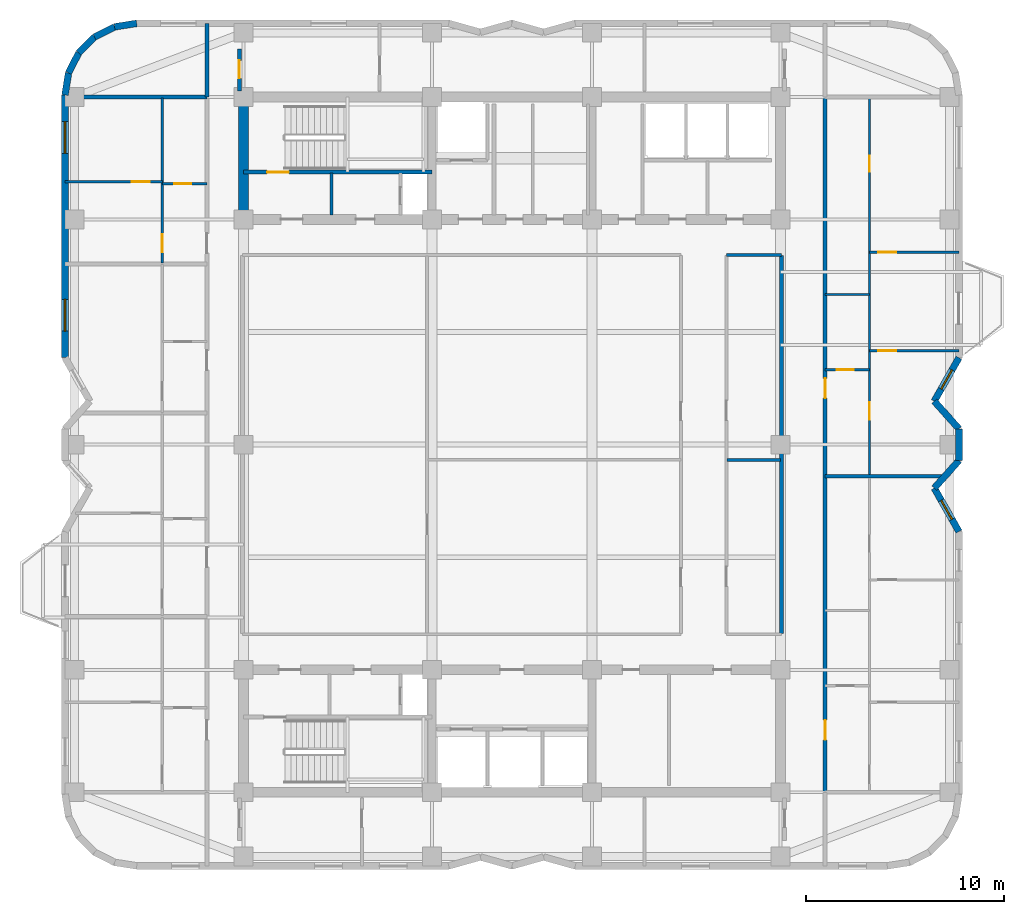
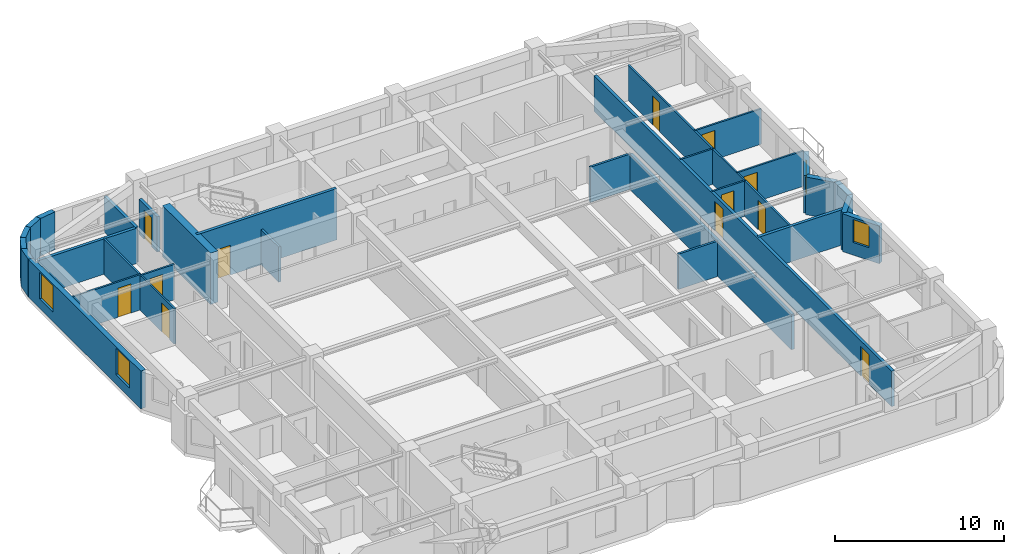
# One storey, part 5 of 9: 30 walls, 12 doors, 4 windows, 16 openings.
"""IFC4 building model written with IfcOpenShell, lengths in metres."""

import ifcopenshell
import ifcopenshell.guid

model = None  # the IFC model being written
_history = None  # IfcOwnerHistory: only IFC2X3 demands one
_inside = {}  # id of a spatial element -> (the spatial element, [elements in it])
_under = {}  # id of a project, library or spatial element -> (it, [spatial elements below it])
_declared = {}  # id of a project -> (the project, [libraries it declares])
_typed = {}  # id of a type object -> (the type object, [elements of that type])
_made_of = {}  # id of a material, layer set ... -> (it, [elements and type objects made of it])


def new_model(schema):
    """Start an empty IFC model of exactly this schema.

    Asked for "IFC4X3", IfcOpenShell would pick the latest addendum, in which some entities
    have other attributes; the version numbers below select the first issue.
    IFC2X3 requires an IfcOwnerHistory on every rooted entity: one is made here for all.
    """
    global model, _history
    if schema == "IFC4X3":
        model = ifcopenshell.file(schema_version=(4, 3, 0, 0))
    else:
        model = ifcopenshell.file(schema=schema)
    _inside.clear()
    _under.clear()
    _declared.clear()
    _typed.clear()
    _made_of.clear()
    _history = None
    if model.schema == "IFC2X3":
        org = make("IfcOrganization", Name="unknown")
        user = make(
            "IfcPersonAndOrganization",
            ThePerson=make("IfcPerson", FamilyName="unknown"),
            TheOrganization=org,
        )
        app = make(
            "IfcApplication",
            ApplicationDeveloper=org,
            Version="unknown",
            ApplicationFullName="unknown",
            ApplicationIdentifier="unknown",
        )
        _history = make(
            "IfcOwnerHistory",
            OwningUser=user,
            OwningApplication=app,
            ChangeAction="ADDED",
            CreationDate=0,
        )
    return model


def make(cls, **values):
    """One entity of the class cls with the attributes given. An attribute that is None is left unset."""
    return model.create_entity(
        cls, **{name: value for name, value in values.items() if value is not None}
    )


def rooted(cls, **values):
    """An entity with a GlobalId (a new one), such as an element, a storey or a relation."""
    return make(cls, GlobalId=ifcopenshell.guid.new(), OwnerHistory=_history, **values)


def si_unit(unit_type, name, prefix=None):
    """IfcSIUnit, for example si_unit("LENGTHUNIT", "METRE", prefix="MILLI")."""
    return make("IfcSIUnit", UnitType=unit_type, Prefix=prefix, Name=name)


def assignment(units):
    """IfcUnitAssignment: the units of a project."""
    return None if units is None else make("IfcUnitAssignment", Units=units)


def point(xyz):
    """IfcCartesianPoint."""
    return None if xyz is None else make("IfcCartesianPoint", Coordinates=xyz)


def direction(xyz):
    """IfcDirection."""
    return None if xyz is None else make("IfcDirection", DirectionRatios=xyz)


def frame(location, z_axis=None, x_axis=None):
    """IfcAxis2Placement3D, a coordinate frame: its origin and axes. An axis left out is left unset."""
    return make(
        "IfcAxis2Placement3D",
        Location=point(location),
        Axis=direction(z_axis),
        RefDirection=direction(x_axis),
    )


def frame_2d(location, x_axis=None):
    """IfcAxis2Placement2D, a coordinate frame in the plane: its origin and x axis."""
    return make(
        "IfcAxis2Placement2D", Location=point(location), RefDirection=direction(x_axis)
    )


def origin():
    """The frame at (0, 0, 0) with its axes left unset."""
    return frame((0.0, 0.0, 0.0))


def place(relative_to, where):
    """IfcLocalPlacement: puts the frame where relative to a parent placement (None: the world)."""
    return make(
        "IfcLocalPlacement", PlacementRelTo=relative_to, RelativePlacement=where
    )


def context(
    kind, dimensions, precision=None, world=None, true_north=None, identifier=None
):
    """IfcGeometricRepresentationContext, for example the 3D "Model" context."""
    return make(
        "IfcGeometricRepresentationContext",
        ContextIdentifier=identifier,
        ContextType=kind,
        CoordinateSpaceDimension=dimensions,
        Precision=precision,
        WorldCoordinateSystem=world,
        TrueNorth=true_north,
    )


def subcontext(parent, identifier, kind, view, scale=None):
    """IfcGeometricRepresentationSubContext, for example "Body" below "Model"."""
    return make(
        "IfcGeometricRepresentationSubContext",
        ContextIdentifier=identifier,
        ContextType=kind,
        ParentContext=parent,
        TargetScale=scale,
        TargetView=view,
    )


def project(units=None, contexts=None):
    """IfcProject with its units and contexts."""
    return rooted(
        "IfcProject",
        Name="project",
        RepresentationContexts=contexts,
        UnitsInContext=assignment(units),
    )


def spatial(cls, under=None, at=None, **own):
    """A site, building, storey or space (cls), placed at a placement, below another one or the project."""
    s = rooted(cls, ObjectPlacement=at, **own)
    if under is not None:
        _under.setdefault(under.id(), (under, []))[1].append(s)
    return s


def profile(cls, at=None, kind="AREA", **sizes):
    """A parametric profile (cls). Its sizes go by their IFC names, for example OverallWidth=200.0."""
    return make(cls, ProfileType=kind, Position=at, **sizes)


def rectangle(**sizes):
    """IfcRectangleProfileDef."""
    return profile("IfcRectangleProfileDef", **sizes)


def extrude(swept, where, along, depth):
    """IfcExtrudedAreaSolid: the profile swept, set in the frame where, extruded along a direction by depth."""
    return make(
        "IfcExtrudedAreaSolid",
        SweptArea=swept,
        Position=where,
        ExtrudedDirection=direction(along),
        Depth=depth,
    )


def shape(context_of_items, identifier, shape_type, items):
    """IfcShapeRepresentation: the items that make up one representation, for example the "Body"."""
    return make(
        "IfcShapeRepresentation",
        ContextOfItems=context_of_items,
        RepresentationIdentifier=identifier,
        RepresentationType=shape_type,
        Items=items,
    )


def material(Name=None, Category=None):
    """IfcMaterial."""
    return make("IfcMaterial", Name=Name, Category=Category)


def layer(
    of_material, thickness, ventilated=None, Name=None, Category=None, Priority=None
):
    """IfcMaterialLayer: one layer of a wall or slab, of a material (None: an air gap)."""
    return make(
        "IfcMaterialLayer",
        Material=of_material,
        LayerThickness=thickness,
        IsVentilated=ventilated,
        Name=Name,
        Category=Category,
        Priority=Priority,
    )


def layer_set(layers, Name=None):
    """IfcMaterialLayerSet."""
    return make("IfcMaterialLayerSet", MaterialLayers=layers, LayerSetName=Name)


def made_of(thing, what):
    """Note that an element or type object is made of a material, layer set ...; save() writes the relation."""
    if what is not None:
        _made_of.setdefault(what.id(), (what, []))[1].append(thing)
    return thing


def type_object(cls, material=None, **own):
    """A type object (cls), such as IfcWallType, which elements share."""
    return made_of(rooted(cls, **own), material)


def element(
    cls,
    number,
    at=None,
    inside=None,
    cuts=None,
    type_object=None,
    material=None,
    context=None,
    identifier="Body",
    shape_type=None,
    held_by="IfcProductDefinitionShape",
    body=None,
    shapes=None,
    **own,
):
    """One element of the class cls, such as IfcWall. Its Tag is "e" and its number.

    at: its placement. inside: the storey or other place that contains it. cuts: it is an
    opening in that element (IfcRelVoidsElement). A single representation is given by context,
    identifier, shape_type and body (its items); several are given by shapes. held_by: the class
    of the entity that holds the representations. save() writes the other relations.
    """
    e = rooted(cls, Tag="e%d" % number, ObjectPlacement=at, **own)
    if body is not None:
        shapes = [shape(context, identifier, shape_type, body)]
    if shapes is not None:
        e.Representation = make(held_by, Representations=shapes)
    if inside is not None:
        _inside.setdefault(inside.id(), (inside, []))[1].append(e)
    if cuts is not None:
        rooted(
            "IfcRelVoidsElement", RelatingBuildingElement=cuts, RelatedOpeningElement=e
        )
    if type_object is not None:
        _typed.setdefault(type_object.id(), (type_object, []))[1].append(e)
    return made_of(e, material)


def fill(opening, filler):
    """IfcRelFillsElement: the door or window that sits in an opening."""
    return rooted(
        "IfcRelFillsElement",
        RelatingOpeningElement=opening,
        RelatedBuildingElement=filler,
    )


def aggregate(whole, parts):
    """IfcRelAggregates: a whole, such as a stair, and the parts it consists of."""
    return rooted("IfcRelAggregates", RelatingObject=whole, RelatedObjects=parts)


def save(model, path):
    """Write the relations noted so far, then the file.

    IfcRelAggregates (storeys below a building ...), IfcRelContainedInSpatialStructure (elements
    in a storey), IfcRelDefinesByType, IfcRelAssociatesMaterial and IfcRelDeclares: one each for
    every whole, place, type object, material and project.
    """
    for whole, parts in _under.values():
        aggregate(whole, parts)
    for where, things in _inside.values():
        rooted(
            "IfcRelContainedInSpatialStructure",
            RelatedElements=things,
            RelatingStructure=where,
        )
    for kind, things in _typed.values():
        rooted("IfcRelDefinesByType", RelatedObjects=things, RelatingType=kind)
    for what, things in _made_of.values():
        rooted("IfcRelAssociatesMaterial", RelatedObjects=things, RelatingMaterial=what)
    for by, libraries in _declared.values():
        rooted("IfcRelDeclares", RelatingContext=by, RelatedDefinitions=libraries)
    model.write(path)


model = new_model("IFC4")

# Units and contexts
model_context = context("Model", 3, precision=1e-05, world=origin(), true_north=direction((0.0, 1.0)))
body_context = subcontext(model_context, "Body", "Model", "MODEL_VIEW")
ifc_project = project(units=[si_unit("LENGTHUNIT", "METRE"), si_unit("AREAUNIT", "SQUARE_METRE"), si_unit("VOLUMEUNIT", "CUBIC_METRE"), si_unit("PLANEANGLEUNIT", "RADIAN"), si_unit("MASSUNIT", "GRAM", prefix="KILO")], contexts=[model_context])

# Site, building, storey
site_placement = place(None, origin())
site = spatial("IfcSite", under=ifc_project, at=site_placement, CompositionType="ELEMENT")
building_placement = place(site_placement, origin())
building = spatial("IfcBuilding", under=site, at=building_placement, Name="Svetorya Sky Lyceum", CompositionType="ELEMENT")
storey_placement = place(building_placement, frame((0.0, 0.0, 170.0)))
storey = spatial("IfcBuildingStorey", under=building, at=storey_placement, Name="L42", CompositionType="ELEMENT", Elevation=170.0)

# Wall
ifc_material_1 = material(Name="Concrete C50/60", Category="concrete")
ifc_layer_1 = layer(ifc_material_1, 0.5)
ifc_layer_set_1 = layer_set([ifc_layer_1], Name="Concrete C50/60")
wall_type_1 = type_object("IfcWallType", Name="WL-CORE-500", PredefinedType="SHEAR", material=ifc_layer_set_1)
wall_1_placement = place(storey_placement, frame((25.60009765625, 39.85009765625, 0.0), z_axis=(0.0, 0.0, 1.0), x_axis=(0.0, 1.0, 0.0)))
element("IfcWall", 1, at=wall_1_placement, inside=storey, type_object=wall_type_1, Name="L42 NC West Core Shear Wall", PredefinedType="SHEAR", context=body_context, shape_type="SweptSolid", body=[
    extrude(rectangle(XDim=5.699951171875, YDim=0.5, at=frame_2d((2.85009765625, 0.0))), origin(), (0.0, 0.0, 1.0), 3.699951171875),
])

# Wall, opening, window
ifc_material_2 = material(Name="Putilovo limestone rainscreen on autoclaved cellular masonry", Category="masonry")
ifc_layer_2 = layer(ifc_material_2, 0.340087890625)
ifc_layer_set_2 = layer_set([ifc_layer_2], Name="Putilovo limestone rainscreen on autoclaved cellular masonry")
wall_type_2 = type_object("IfcWallType", Name="WL-EXT-340", PredefinedType="SOLIDWALL", material=ifc_layer_set_2)
wall_2_placement = place(storey_placement, frame((61.830078125, 23.800048828125, 0.0), z_axis=(0.0, 0.0, 1.0), x_axis=(-0.494017696272, 0.869451847873, 0.0)))
wall_2 = element("IfcWall", 2, at=wall_2_placement, inside=storey, type_object=wall_type_2, Name="L42 Limestone Exterior Wall 18M", PredefinedType="SOLIDWALL", context=body_context, shape_type="SweptSolid", body=[
    extrude(rectangle(XDim=2.5302734375, YDim=0.340087890625, at=frame_2d((1.26513671875, 0.0))), origin(), (0.0, 0.0, 1.0), 2.719970703125),
])
opening_1_placement = place(wall_2_placement, frame((0.715087890625, 0.0, 0.909912109375)))
opening_1 = element("IfcOpeningElement", 3, at=opening_1_placement, cuts=wall_2, Name="Opening W-R3", PredefinedType="OPENING", context=body_context, shape_type="SweptSolid", body=[
    extrude(rectangle(XDim=1.10009765625, YDim=1.64990234375, at=frame_2d((0.550048828125, 0.824951171875))), frame((0.0, 0.179931640625, 0.0), z_axis=(0.0, -1.0, 0.0), x_axis=(1.0, 0.0, 0.0)), (0.0, 0.0, 1.0), 0.360107421875),
])
ifc_material_3 = material(Name="Thermally broken aluminium frame with triple low-E glazing", Category="aluminium")
window_type_1 = type_object("IfcWindowType", Name="WN-RES-110", PartitioningType="SINGLE_PANEL", PredefinedType="WINDOW", material=ifc_material_3)
window_1_placement = place(opening_1_placement, origin())
window_1 = element("IfcWindow", 4, at=window_1_placement, inside=storey, type_object=window_type_1, Name="L42 Facade Window W-R3.18M.1", OverallHeight=1.64990234375, OverallWidth=1.10009765625, PartitioningType="SINGLE_PANEL", PredefinedType="WINDOW", context=body_context, shape_type="SweptSolid", body=[
    extrude(rectangle(XDim=1.10009765625, YDim=1.64990234375, at=frame_2d((0.550048828125, 0.824951171875))), frame((0.0, 0.030029296875, 0.0), z_axis=(0.0, -1.0, 0.0), x_axis=(1.0, 0.0, 0.0)), (0.0, 0.0, 1.0), 0.06005859375),
])
fill(opening_1, window_1)

# Walls
wall_3_placement = place(storey_placement, frame((60.580078125, 26.0, 0.0), z_axis=(0.0, 0.0, 1.0), x_axis=(0.666041619974, 0.74591457987, 0.0)))
element("IfcWall", 5, at=wall_3_placement, inside=storey, type_object=wall_type_2, Name="L42 Limestone Exterior Wall 19M", PredefinedType="SOLIDWALL", context=body_context, shape_type="SweptSolid", body=[
    extrude(rectangle(XDim=1.876708984375, YDim=0.340087890625, at=frame_2d((0.9384765625, 0.0))), origin(), (0.0, 0.0, 1.0), 2.719970703125),
])
wall_4_placement = place(storey_placement, frame((61.830078125, 27.39990234375, 0.0), z_axis=(0.0, 0.0, 1.0), x_axis=(0.0, 1.0, 0.0)))
element("IfcWall", 6, at=wall_4_placement, inside=storey, type_object=wall_type_2, Name="L42 Limestone Exterior Wall 20M", PredefinedType="SOLIDWALL", context=body_context, shape_type="SweptSolid", body=[
    extrude(rectangle(XDim=1.60009765625, YDim=0.340087890625, at=frame_2d((0.800048828125, 0.0))), origin(), (0.0, 0.0, 1.0), 2.719970703125),
])
wall_5_placement = place(storey_placement, frame((61.830078125, 29.0, 0.0), z_axis=(0.0, 0.0, 1.0), x_axis=(-0.666041619974, 0.74591457987, 0.0)))
element("IfcWall", 7, at=wall_5_placement, inside=storey, type_object=wall_type_2, Name="L42 Limestone Exterior Wall 21M", PredefinedType="SOLIDWALL", context=body_context, shape_type="SweptSolid", body=[
    extrude(rectangle(XDim=1.876708984375, YDim=0.340087890625, at=frame_2d((0.9384765625, 0.0))), origin(), (0.0, 0.0, 1.0), 2.719970703125),
])

# Wall, opening, window
wall_6_placement = place(storey_placement, frame((60.580078125, 30.39990234375, 0.0), z_axis=(0.0, 0.0, 1.0), x_axis=(0.493976255291, 0.869475393101, 0.0)))
wall_6 = element("IfcWall", 8, at=wall_6_placement, inside=storey, type_object=wall_type_2, Name="L42 Limestone Exterior Wall 22M", PredefinedType="SOLIDWALL", context=body_context, shape_type="SweptSolid", body=[
    extrude(rectangle(XDim=2.530517578125, YDim=0.340087890625, at=frame_2d((1.26513671875, 0.0))), origin(), (0.0, 0.0, 1.0), 2.719970703125),
])
opening_2_placement = place(wall_6_placement, frame((0.715087890625, 0.0, 0.909912109375)))
opening_2 = element("IfcOpeningElement", 9, at=opening_2_placement, cuts=wall_6, Name="Opening W-R3", PredefinedType="OPENING", context=body_context, shape_type="SweptSolid", body=[
    extrude(rectangle(XDim=1.10009765625, YDim=1.64990234375, at=frame_2d((0.550048828125, 0.824951171875))), frame((0.0, 0.179931640625, 0.0), z_axis=(0.0, -1.0, 0.0), x_axis=(1.0, 0.0, 0.0)), (0.0, 0.0, 1.0), 0.360107421875),
])
window_2_placement = place(opening_2_placement, origin())
window_2 = element("IfcWindow", 10, at=window_2_placement, inside=storey, type_object=window_type_1, Name="L42 Facade Window W-R3.22M.1", OverallHeight=1.64990234375, OverallWidth=1.10009765625, PartitioningType="SINGLE_PANEL", PredefinedType="WINDOW", context=body_context, shape_type="SweptSolid", body=[
    extrude(rectangle(XDim=1.10009765625, YDim=1.64990234375, at=frame_2d((0.550048828125, 0.824951171875))), frame((0.0, 0.030029296875, 0.0), z_axis=(0.0, -1.0, 0.0), x_axis=(1.0, 0.0, 0.0)), (0.0, 0.0, 1.0), 0.06005859375),
])
fill(opening_2, window_2)

# Walls
wall_7_placement = place(storey_placement, frame((20.199951171875, 49.530029296875, 0.0), z_axis=(0.0, 0.0, 1.0), x_axis=(-0.987675651954, -0.156514556949, 0.0)))
element("IfcWall", 11, at=wall_7_placement, inside=storey, type_object=wall_type_2, Name="L42 Limestone Exterior Wall 35M", PredefinedType="SOLIDWALL", context=body_context, shape_type="SweptSolid", body=[
    extrude(rectangle(XDim=1.135498046875, YDim=0.340087890625, at=frame_2d((0.56787109375, 0.0))), origin(), (0.0, 0.0, 1.0), 2.719970703125),
])
for number, where, z_axis, x_axis, name in (
    (12, (19.078369140625, 49.352294921875, 0.0), (0.0, 0.0, 1.0), (-0.891005044957, -0.453993402883, 0.0), "L42 Limestone Exterior Wall 36M"),
    (13, (18.06640625, 48.836669921875, 0.0), (0.0, 0.0, 1.0), (-0.707214252388, -0.706999293649, 0.0), "L42 Limestone Exterior Wall 37M"),
    (14, (17.26318359375, 48.03369140625, 0.0), (0.0, 0.0, 1.0), (-0.453822724105, -0.891091990249, 0.0), "L42 Limestone Exterior Wall 38M"),
    (15, (16.747802734375, 47.021728515625, 0.0), (0.0, 0.0, 1.0), (-0.156481329164, -0.987680916907, 0.0), "L42 Limestone Exterior Wall 39M"),
):
    element("IfcWall", number, at=place(storey_placement, frame(where, z_axis=z_axis, x_axis=x_axis)), inside=storey, type_object=wall_type_2, Name=name, PredefinedType="SOLIDWALL", context=body_context, shape_type="SweptSolid", body=[
        extrude(rectangle(XDim=1.1357421875, YDim=0.340087890625, at=frame_2d((0.56787109375, 0.0))), origin(), (0.0, 0.0, 1.0), 2.719970703125),
    ])

# Wall, openings, windows
wall_8_placement = place(storey_placement, frame((16.570068359375, 45.89990234375, 0.0), z_axis=(0.0, 0.0, 1.0), x_axis=(0.0, -1.0, 0.0)))
wall_8 = element("IfcWall", 16, at=wall_8_placement, inside=storey, type_object=wall_type_2, Name="L42 Limestone Exterior Wall 40M", PredefinedType="SOLIDWALL", context=body_context, shape_type="SweptSolid", body=[
    extrude(rectangle(XDim=13.2998046875, YDim=0.340087890625, at=frame_2d((6.64990234375, 0.0))), origin(), (0.0, 0.0, 1.0), 2.719970703125),
])
opening_3_placement = place(wall_8_placement, frame((1.35009765625, 0.0, 0.699951171875)))
opening_3 = element("IfcOpeningElement", 17, at=opening_3_placement, cuts=wall_8, Name="Opening W-R4", PredefinedType="OPENING", context=body_context, shape_type="SweptSolid", body=[
    extrude(rectangle(XDim=1.60009765625, YDim=1.89990234375, at=frame_2d((0.800048828125, 0.949951171875))), frame((0.0, 0.179931640625, 0.0), z_axis=(0.0, -1.0, 0.0), x_axis=(1.0, 0.0, 0.0)), (0.0, 0.0, 1.0), 0.360107421875),
])
opening_4_placement = place(wall_8_placement, frame((10.35009765625, 0.0, 0.699951171875)))
opening_4 = element("IfcOpeningElement", 18, at=opening_4_placement, cuts=wall_8, Name="Opening W-R4", PredefinedType="OPENING", context=body_context, shape_type="SweptSolid", body=[
    extrude(rectangle(XDim=1.60009765625, YDim=1.89990234375, at=frame_2d((0.800048828125, 0.949951171875))), frame((0.0, 0.179931640625, 0.0), z_axis=(0.0, -1.0, 0.0), x_axis=(1.0, 0.0, 0.0)), (0.0, 0.0, 1.0), 0.360107421875),
])
window_type_2 = type_object("IfcWindowType", Name="WN-RES-160", PartitioningType="DOUBLE_PANEL_VERTICAL", PredefinedType="WINDOW", material=ifc_material_3)
window_3_placement = place(opening_3_placement, origin())
window_3 = element("IfcWindow", 19, at=window_3_placement, inside=storey, type_object=window_type_2, Name="L42 Facade Window W-R4.40M.1", OverallHeight=1.89990234375, OverallWidth=1.60009765625, PartitioningType="SINGLE_PANEL", PredefinedType="WINDOW", context=body_context, shape_type="SweptSolid", body=[
    extrude(rectangle(XDim=1.60009765625, YDim=1.89990234375, at=frame_2d((0.800048828125, 0.949951171875))), frame((0.0, 0.030029296875, 0.0), z_axis=(0.0, -1.0, 0.0), x_axis=(1.0, 0.0, 0.0)), (0.0, 0.0, 1.0), 0.06005859375),
])
fill(opening_3, window_3)
window_4_placement = place(opening_4_placement, origin())
window_4 = element("IfcWindow", 20, at=window_4_placement, inside=storey, type_object=window_type_2, Name="L42 Facade Window W-R4.40M.2", OverallHeight=1.89990234375, OverallWidth=1.60009765625, PartitioningType="SINGLE_PANEL", PredefinedType="WINDOW", context=body_context, shape_type="SweptSolid", body=[
    extrude(rectangle(XDim=1.60009765625, YDim=1.89990234375, at=frame_2d((0.800048828125, 0.949951171875))), frame((0.0, 0.030029296875, 0.0), z_axis=(0.0, -1.0, 0.0), x_axis=(1.0, 0.0, 0.0)), (0.0, 0.0, 1.0), 0.06005859375),
])
fill(opening_4, window_4)

# Wall, opening, door
ifc_material_4 = material(Name="Twin-stud galvanized framing with double fireboard", Category="gypsum")
ifc_layer_3 = layer(ifc_material_4, 0.1201171875)
ifc_layer_set_3 = layer_set([ifc_layer_3], Name="Twin-stud galvanized framing with double fireboard")
wall_type_3 = type_object("IfcWallType", Name="WL-PART-120", PredefinedType="PARTITIONING", material=ifc_layer_set_3)
wall_9_placement = place(storey_placement, frame((21.5, 41.412109375, 0.0), z_axis=(0.0, 0.0, 1.0), x_axis=(1.0, 0.0, 0.0)))
wall_9 = element("IfcWall", 21, at=wall_9_placement, inside=storey, type_object=wall_type_3, Name="L42 Interior Partition W4-WH1", PredefinedType="PARTITIONING", context=body_context, shape_type="SweptSolid", body=[
    extrude(rectangle(XDim=2.25, YDim=0.1201171875, at=frame_2d((1.125, 0.0))), origin(), (0.0, 0.0, 1.0), 2.550048828125),
])
opening_5_placement = place(wall_9_placement, frame((0.60009765625, 0.0, 0.0)))
opening_5 = element("IfcOpeningElement", 22, at=opening_5_placement, cuts=wall_9, Name="Opening D-BT1", PredefinedType="OPENING", context=body_context, shape_type="SweptSolid", body=[
    extrude(rectangle(XDim=0.85009765625, YDim=2.10009765625, at=frame_2d((0.425048828125, 1.050048828125))), frame((0.0, 0.070068359375, 0.0), z_axis=(0.0, -1.0, 0.0), x_axis=(1.0, 0.0, 0.0)), (0.0, 0.0, 1.0), 0.14013671875),
])
ifc_material_5 = material(Name="Moisture-resistant laminate bathroom door")
door_type_1 = type_object("IfcDoorType", Name="DR-WET-850", OperationType="SINGLE_SWING_LEFT", PredefinedType="DOOR", material=ifc_material_5)
door_1_placement = place(opening_5_placement, origin())
door_1 = element("IfcDoor", 23, at=door_1_placement, inside=storey, type_object=door_type_1, Name="Apartment W4 Bathroom Door", OperationType="SINGLE_SWING_RIGHT", OverallHeight=2.10009765625, OverallWidth=0.85009765625, PredefinedType="DOOR", context=body_context, shape_type="SweptSolid", body=[
    extrude(rectangle(XDim=0.85009765625, YDim=2.10009765625, at=frame_2d((0.425048828125, 1.050048828125))), frame((0.0, 0.02490234375, 0.0), z_axis=(0.0, -1.0, 0.0), x_axis=(1.0, 0.0, 0.0)), (0.0, 0.0, 1.0), 0.050048828125),
])
fill(opening_5, door_1)

wall_10_placement = place(storey_placement, frame((16.570068359375, 41.501953125, 0.0), z_axis=(0.0, 0.0, 1.0), x_axis=(1.0, 0.0, 0.0)))
wall_10 = element("IfcWall", 24, at=wall_10_placement, inside=storey, type_object=wall_type_3, Name="L42 Interior Partition W4-WL1", PredefinedType="PARTITIONING", context=body_context, shape_type="SweptSolid", body=[
    extrude(rectangle(XDim=4.929931640625, YDim=0.1201171875, at=frame_2d((2.46484375, 0.0))), origin(), (0.0, 0.0, 1.0), 2.550048828125),
])
opening_6_placement = place(wall_10_placement, frame((3.3798828125, 0.0, 0.0)))
opening_6 = element("IfcOpeningElement", 25, at=opening_6_placement, cuts=wall_10, Name="Opening D-RM1", PredefinedType="OPENING", context=body_context, shape_type="SweptSolid", body=[
    extrude(rectangle(XDim=0.89990234375, YDim=2.10009765625, at=frame_2d((0.449951171875, 1.050048828125))), frame((0.0, 0.070068359375, 0.0), z_axis=(0.0, -1.0, 0.0), x_axis=(1.0, 0.0, 0.0)), (0.0, 0.0, 1.0), 0.14013671875),
])
ifc_material_6 = material(Name="Lacquered birch veneer internal door")
door_type_2 = type_object("IfcDoorType", Name="DR-INT-900", OperationType="SINGLE_SWING_LEFT", PredefinedType="DOOR", material=ifc_material_6)
door_2_placement = place(opening_6_placement, origin())
door_2 = element("IfcDoor", 26, at=door_2_placement, inside=storey, type_object=door_type_2, Name="Apartment W4 Bedroom 1 Door", OperationType="SINGLE_SWING_RIGHT", OverallHeight=2.10009765625, OverallWidth=0.89990234375, PredefinedType="DOOR", context=body_context, shape_type="SweptSolid", body=[
    extrude(rectangle(XDim=0.89990234375, YDim=2.10009765625, at=frame_2d((0.449951171875, 1.050048828125))), frame((0.0, 0.02490234375, 0.0), z_axis=(0.0, -1.0, 0.0), x_axis=(1.0, 0.0, 0.0)), (0.0, 0.0, 1.0), 0.050048828125),
])
fill(opening_6, door_2)

wall_11_placement = place(storey_placement, frame((21.5, 37.39208984375, 0.0), z_axis=(0.0, 0.0, 1.0), x_axis=(0.0, 1.0, 0.0)))
wall_11 = element("IfcWall", 27, at=wall_11_placement, inside=storey, type_object=wall_type_3, Name="L42 Interior Partition W4-WV", PredefinedType="PARTITIONING", context=body_context, shape_type="SweptSolid", body=[
    extrude(rectangle(XDim=8.367919921875, YDim=0.1201171875, at=frame_2d((4.18408203125, 0.0))), origin(), (0.0, 0.0, 1.0), 2.550048828125),
])
opening_7_placement = place(wall_11_placement, frame((0.56005859375, 0.0, 0.0)))
opening_7 = element("IfcOpeningElement", 28, at=opening_7_placement, cuts=wall_11, Name="Opening D-RM1", PredefinedType="OPENING", context=body_context, shape_type="SweptSolid", body=[
    extrude(rectangle(XDim=0.89990234375, YDim=2.10009765625, at=frame_2d((0.449951171875, 1.050048828125))), frame((0.0, 0.070068359375, 0.0), z_axis=(0.0, -1.0, 0.0), x_axis=(1.0, 0.0, 0.0)), (0.0, 0.0, 1.0), 0.14013671875),
])
door_3_placement = place(opening_7_placement, origin())
door_3 = element("IfcDoor", 29, at=door_3_placement, inside=storey, type_object=door_type_2, Name="Apartment W4 Living Door", OperationType="SINGLE_SWING_LEFT", OverallHeight=2.10009765625, OverallWidth=0.89990234375, PredefinedType="DOOR", context=body_context, shape_type="SweptSolid", body=[
    extrude(rectangle(XDim=0.89990234375, YDim=2.10009765625, at=frame_2d((0.449951171875, 1.050048828125))), frame((0.0, 0.02490234375, 0.0), z_axis=(0.0, -1.0, 0.0), x_axis=(1.0, 0.0, 0.0)), (0.0, 0.0, 1.0), 0.050048828125),
])
fill(opening_7, door_3)

wall_12_placement = place(storey_placement, frame((55.050048828125, 32.0, 0.0), z_axis=(0.0, 0.0, 1.0), x_axis=(1.0, 0.0, 0.0)))
wall_12 = element("IfcWall", 30, at=wall_12_placement, inside=storey, type_object=wall_type_3, Name="L42 Interior Partition E2-WH1", PredefinedType="PARTITIONING", context=body_context, shape_type="SweptSolid", body=[
    extrude(rectangle(XDim=2.25, YDim=0.1201171875, at=frame_2d((1.125, 0.0))), origin(), (0.0, 0.0, 1.0), 2.550048828125),
])
opening_8_placement = place(wall_12_placement, frame((0.60009765625, 0.0, 0.0)))
opening_8 = element("IfcOpeningElement", 31, at=opening_8_placement, cuts=wall_12, Name="Opening D-BT1", PredefinedType="OPENING", context=body_context, shape_type="SweptSolid", body=[
    extrude(rectangle(XDim=0.85009765625, YDim=2.10009765625, at=frame_2d((0.425048828125, 1.050048828125))), frame((0.0, 0.070068359375, 0.0), z_axis=(0.0, -1.0, 0.0), x_axis=(1.0, 0.0, 0.0)), (0.0, 0.0, 1.0), 0.14013671875),
])
door_4_placement = place(opening_8_placement, origin())
door_4 = element("IfcDoor", 32, at=door_4_placement, inside=storey, type_object=door_type_1, Name="Apartment E2 Bathroom Door", OperationType="SINGLE_SWING_LEFT", OverallHeight=2.10009765625, OverallWidth=0.85009765625, PredefinedType="DOOR", context=body_context, shape_type="SweptSolid", body=[
    extrude(rectangle(XDim=0.85009765625, YDim=2.10009765625, at=frame_2d((0.425048828125, 1.050048828125))), frame((0.0, 0.02490234375, 0.0), z_axis=(0.0, -1.0, 0.0), x_axis=(1.0, 0.0, 0.0)), (0.0, 0.0, 1.0), 0.050048828125),
])
fill(opening_8, door_4)

# Wall
wall_13_placement = place(storey_placement, frame((55.050048828125, 35.800048828125, 0.0), z_axis=(0.0, 0.0, 1.0), x_axis=(1.0, 0.0, 0.0)))
element("IfcWall", 33, at=wall_13_placement, inside=storey, type_object=wall_type_3, Name="L42 Interior Partition E2-WH2", PredefinedType="PARTITIONING", context=body_context, shape_type="SweptSolid", body=[
    extrude(rectangle(XDim=2.25, YDim=0.1201171875, at=frame_2d((1.125, 0.0))), origin(), (0.0, 0.0, 1.0), 2.550048828125),
])

# Wall, opening, door
wall_14_placement = place(storey_placement, frame((57.300048828125, 32.949951171875, 0.0), z_axis=(0.0, 0.0, 1.0), x_axis=(1.0, 0.0, 0.0)))
wall_14 = element("IfcWall", 34, at=wall_14_placement, inside=storey, type_object=wall_type_3, Name="L42 Interior Partition E2-WL1", PredefinedType="PARTITIONING", context=body_context, shape_type="SweptSolid", body=[
    extrude(rectangle(XDim=4.530029296875, YDim=0.1201171875, at=frame_2d((2.26513671875, 0.0))), origin(), (0.0, 0.0, 1.0), 2.550048828125),
])
opening_9_placement = place(wall_14_placement, frame((0.449951171875, 0.0, 0.0)))
opening_9 = element("IfcOpeningElement", 35, at=opening_9_placement, cuts=wall_14, Name="Opening D-RM1", PredefinedType="OPENING", context=body_context, shape_type="SweptSolid", body=[
    extrude(rectangle(XDim=0.89990234375, YDim=2.10009765625, at=frame_2d((0.449951171875, 1.050048828125))), frame((0.0, 0.070068359375, 0.0), z_axis=(0.0, -1.0, 0.0), x_axis=(1.0, 0.0, 0.0)), (0.0, 0.0, 1.0), 0.14013671875),
])
door_5_placement = place(opening_9_placement, origin())
door_5 = element("IfcDoor", 36, at=door_5_placement, inside=storey, type_object=door_type_2, Name="Apartment E2 Master Bedroom Door", OperationType="SINGLE_SWING_LEFT", OverallHeight=2.10009765625, OverallWidth=0.89990234375, PredefinedType="DOOR", context=body_context, shape_type="SweptSolid", body=[
    extrude(rectangle(XDim=0.89990234375, YDim=2.10009765625, at=frame_2d((0.449951171875, 1.050048828125))), frame((0.0, 0.02490234375, 0.0), z_axis=(0.0, -1.0, 0.0), x_axis=(1.0, 0.0, 0.0)), (0.0, 0.0, 1.0), 0.050048828125),
])
fill(opening_9, door_5)

wall_15_placement = place(storey_placement, frame((57.300048828125, 37.949951171875, 0.0), z_axis=(0.0, 0.0, 1.0), x_axis=(1.0, 0.0, 0.0)))
wall_15 = element("IfcWall", 37, at=wall_15_placement, inside=storey, type_object=wall_type_3, Name="L42 Interior Partition E2-WL2", PredefinedType="PARTITIONING", context=body_context, shape_type="SweptSolid", body=[
    extrude(rectangle(XDim=4.530029296875, YDim=0.1201171875, at=frame_2d((2.26513671875, 0.0))), origin(), (0.0, 0.0, 1.0), 2.550048828125),
])
opening_10_placement = place(wall_15_placement, frame((0.449951171875, 0.0, 0.0)))
opening_10 = element("IfcOpeningElement", 38, at=opening_10_placement, cuts=wall_15, Name="Opening D-RM1", PredefinedType="OPENING", context=body_context, shape_type="SweptSolid", body=[
    extrude(rectangle(XDim=0.89990234375, YDim=2.10009765625, at=frame_2d((0.449951171875, 1.050048828125))), frame((0.0, 0.070068359375, 0.0), z_axis=(0.0, -1.0, 0.0), x_axis=(1.0, 0.0, 0.0)), (0.0, 0.0, 1.0), 0.14013671875),
])
door_6_placement = place(opening_10_placement, origin())
door_6 = element("IfcDoor", 39, at=door_6_placement, inside=storey, type_object=door_type_2, Name="Apartment E2 Bedroom 2 Door", OperationType="SINGLE_SWING_RIGHT", OverallHeight=2.10009765625, OverallWidth=0.89990234375, PredefinedType="DOOR", context=body_context, shape_type="SweptSolid", body=[
    extrude(rectangle(XDim=0.89990234375, YDim=2.10009765625, at=frame_2d((0.449951171875, 1.050048828125))), frame((0.0, 0.02490234375, 0.0), z_axis=(0.0, -1.0, 0.0), x_axis=(1.0, 0.0, 0.0)), (0.0, 0.0, 1.0), 0.050048828125),
])
fill(opening_10, door_6)

# Wall, openings, doors
wall_16_placement = place(storey_placement, frame((57.300048828125, 26.639892578125, 0.0), z_axis=(0.0, 0.0, 1.0), x_axis=(0.0, 1.0, 0.0)))
wall_16 = element("IfcWall", 40, at=wall_16_placement, inside=storey, type_object=wall_type_3, Name="L42 Interior Partition E2-WV", PredefinedType="PARTITIONING", context=body_context, shape_type="SweptSolid", body=[
    extrude(rectangle(XDim=19.1201171875, YDim=0.1201171875, at=frame_2d((9.56005859375, 0.0))), origin(), (0.0, 0.0, 1.0), 2.550048828125),
])
opening_11_placement = place(wall_16_placement, frame((2.81005859375, 0.0, 0.0)))
opening_11 = element("IfcOpeningElement", 41, at=opening_11_placement, cuts=wall_16, Name="Opening D-RM1", PredefinedType="OPENING", context=body_context, shape_type="SweptSolid", body=[
    extrude(rectangle(XDim=0.89990234375, YDim=2.10009765625, at=frame_2d((0.449951171875, 1.050048828125))), frame((0.0, 0.070068359375, 0.0), z_axis=(0.0, -1.0, 0.0), x_axis=(1.0, 0.0, 0.0)), (0.0, 0.0, 1.0), 0.14013671875),
])
opening_12_placement = place(wall_16_placement, frame((15.364990234375, 0.0, 0.0)))
opening_12 = element("IfcOpeningElement", 42, at=opening_12_placement, cuts=wall_16, Name="Opening D-BT2", PredefinedType="OPENING", context=body_context, shape_type="SweptSolid", body=[
    extrude(rectangle(XDim=0.820068359375, YDim=2.080078125, at=frame_2d((0.41015625, 1.0400390625))), frame((0.0, 0.070068359375, 0.0), z_axis=(0.0, -1.0, 0.0), x_axis=(1.0, 0.0, 0.0)), (0.0, 0.0, 1.0), 0.14013671875),
])
door_7_placement = place(opening_11_placement, origin())
door_7 = element("IfcDoor", 43, at=door_7_placement, inside=storey, type_object=door_type_2, Name="Apartment E2 Living Door", OperationType="SINGLE_SWING_RIGHT", OverallHeight=2.10009765625, OverallWidth=0.89990234375, PredefinedType="DOOR", context=body_context, shape_type="SweptSolid", body=[
    extrude(rectangle(XDim=0.89990234375, YDim=2.10009765625, at=frame_2d((0.449951171875, 1.050048828125))), frame((0.0, 0.02490234375, 0.0), z_axis=(0.0, -1.0, 0.0), x_axis=(1.0, 0.0, 0.0)), (0.0, 0.0, 1.0), 0.050048828125),
])
fill(opening_11, door_7)
ifc_material_7 = material(Name="Compact moisture-resistant laminate closet door")
door_type_3 = type_object("IfcDoorType", Name="DR-WET-820", OperationType="SINGLE_SWING_LEFT", PredefinedType="DOOR", material=ifc_material_7)
door_8_placement = place(opening_12_placement, origin())
door_8 = element("IfcDoor", 44, at=door_8_placement, inside=storey, type_object=door_type_3, Name="Apartment E2 Study Door", OperationType="SINGLE_SWING_LEFT", OverallHeight=2.080078125, OverallWidth=0.820068359375, PredefinedType="DOOR", context=body_context, shape_type="SweptSolid", body=[
    extrude(rectangle(XDim=0.820068359375, YDim=2.080078125, at=frame_2d((0.41015625, 1.0400390625))), frame((0.0, 0.02490234375, 0.0), z_axis=(0.0, -1.0, 0.0), x_axis=(1.0, 0.0, 0.0)), (0.0, 0.0, 1.0), 0.050048828125),
])
fill(opening_12, door_8)

# Walls
ifc_material_8 = material(Name="Autoclaved cellular masonry blockwork with acoustic render", Category="masonry")
ifc_layer_4 = layer(ifc_material_8, 0.14990234375)
ifc_layer_set_4 = layer_set([ifc_layer_4], Name="Autoclaved cellular masonry blockwork with acoustic render")
wall_type_4 = type_object("IfcWallType", Name="WL-PART-150", PredefinedType="PARTITIONING", material=ifc_layer_set_4)
wall_17_placement = place(storey_placement, frame((30.050048828125, 39.820068359375, 0.0), z_axis=(0.0, 0.0, 1.0), x_axis=(0.0, 1.0, 0.0)))
element("IfcWall", 45, at=wall_17_placement, inside=storey, type_object=wall_type_4, Name="L42 Interior Partition NC-NWD1", PredefinedType="PARTITIONING", context=body_context, shape_type="SweptSolid", body=[
    extrude(rectangle(XDim=2.1298828125, YDim=0.14990234375, at=frame_2d((1.06494140625, 0.0))), origin(), (0.0, 0.0, 1.0), 2.550048828125),
])
wall_18_placement = place(storey_placement, frame((50.050048828125, 37.800048828125, 0.0), z_axis=(0.0, 0.0, 1.0), x_axis=(1.0, 0.0, 0.0)))
element("IfcWall", 46, at=wall_18_placement, inside=storey, type_object=wall_type_4, Name="L42 Interior Partition OFF-CN-E", PredefinedType="PARTITIONING", context=body_context, shape_type="SweptSolid", body=[
    extrude(rectangle(XDim=2.800048828125, YDim=0.14990234375, at=frame_2d((1.39990234375, 0.0))), origin(), (0.0, 0.0, 1.0), 2.550048828125),
])
wall_19_placement = place(storey_placement, frame((50.080078125, 27.434326171875, 0.0), z_axis=(0.0, 0.0, 1.0), x_axis=(1.0, 0.0, 0.0)))
element("IfcWall", 47, at=wall_19_placement, inside=storey, type_object=wall_type_4, Name="L42 Interior Partition OFF-HE", PredefinedType="PARTITIONING", context=body_context, shape_type="SweptSolid", body=[
    extrude(rectangle(XDim=2.719970703125, YDim=0.14990234375, at=frame_2d((1.35986328125, 0.0))), origin(), (0.0, 0.0, 1.0), 2.550048828125),
])
ifc_material_9 = material(Name="Autoclaved cellular masonry blockwork with gypsum plaster", Category="masonry")
ifc_layer_5 = layer(ifc_material_9, 0.199951171875)
ifc_layer_set_5 = layer_set([ifc_layer_5], Name="Autoclaved cellular masonry blockwork with gypsum plaster")
wall_type_5 = type_object("IfcWallType", Name="WL-PART-200", PredefinedType="PARTITIONING", material=ifc_layer_set_5)
wall_20_placement = place(storey_placement, frame((52.85009765625, 18.6298828125, 0.0), z_axis=(0.0, 0.0, 1.0), x_axis=(0.0, 1.0, 0.0)))
element("IfcWall", 48, at=wall_20_placement, inside=storey, type_object=wall_type_5, Name="L42 Interior Partition E-CEN-SEP", PredefinedType="PARTITIONING", context=body_context, shape_type="SweptSolid", body=[
    extrude(rectangle(XDim=19.14013671875, YDim=0.199951171875, at=frame_2d((9.570068359375, 0.0))), origin(), (0.0, 0.0, 1.0), 2.550048828125),
])
wall_21_placement = place(storey_placement, frame((16.989990234375, 45.800048828125, 0.0), z_axis=(0.0, 0.0, 1.0), x_axis=(1.0, 0.0, 0.0)))
element("IfcWall", 49, at=wall_21_placement, inside=storey, type_object=wall_type_5, Name="L42 Interior Partition W-CAP-N", PredefinedType="PARTITIONING", context=body_context, shape_type="SweptSolid", body=[
    extrude(rectangle(XDim=6.760009765625, YDim=0.199951171875, at=frame_2d((3.3798828125, 0.0))), origin(), (0.0, 0.0, 1.0), 2.550048828125),
])
wall_22_placement = place(storey_placement, frame((55.050048828125, 26.60009765625, 0.0), z_axis=(0.0, 0.0, 1.0), x_axis=(1.0, 0.0, 0.0)))
element("IfcWall", 50, at=wall_22_placement, inside=storey, type_object=wall_type_5, Name="L42 Interior Partition E-PARTY-1", PredefinedType="PARTITIONING", context=body_context, shape_type="SweptSolid", body=[
    extrude(rectangle(XDim=6.065673828125, YDim=0.199951171875, at=frame_2d((3.03271484375, 0.0))), origin(), (0.0, 0.0, 1.0), 2.550048828125),
])

# Wall, openings, doors
wall_23_placement = place(storey_placement, frame((55.050048828125, 10.60009765625, 0.0), z_axis=(0.0, 0.0, 1.0), x_axis=(0.0, 1.0, 0.0)))
wall_23 = element("IfcWall", 51, at=wall_23_placement, inside=storey, type_object=wall_type_5, Name="L42 Interior Partition E-CORRW", PredefinedType="PARTITIONING", context=body_context, shape_type="SweptSolid", body=[
    extrude(rectangle(XDim=35.199951171875, YDim=0.199951171875, at=frame_2d((17.60009765625, 0.0))), origin(), (0.0, 0.0, 1.0), 2.550048828125),
])
opening_13_placement = place(wall_23_placement, frame((2.64990234375, 0.0, 0.0)))
opening_13 = element("IfcOpeningElement", 52, at=opening_13_placement, cuts=wall_23, Name="Opening D-APT1", PredefinedType="OPENING", context=body_context, shape_type="SweptSolid", body=[
    extrude(rectangle(XDim=1.0, YDim=2.14990234375, at=frame_2d((0.5, 1.074951171875))), frame((0.0, 0.10986328125, 0.0), z_axis=(0.0, -1.0, 0.0), x_axis=(1.0, 0.0, 0.0)), (0.0, 0.0, 1.0), 0.219970703125),
])
opening_14_placement = place(wall_23_placement, frame((19.949951171875, 0.0, 0.0)))
opening_14 = element("IfcOpeningElement", 53, at=opening_14_placement, cuts=wall_23, Name="Opening D-APT1", PredefinedType="OPENING", context=body_context, shape_type="SweptSolid", body=[
    extrude(rectangle(XDim=1.0, YDim=2.14990234375, at=frame_2d((0.5, 1.074951171875))), frame((0.0, 0.10986328125, 0.0), z_axis=(0.0, -1.0, 0.0), x_axis=(1.0, 0.0, 0.0)), (0.0, 0.0, 1.0), 0.219970703125),
])
ifc_material_10 = material(Name="Insulated oak-veneered apartment entrance door")
door_type_4 = type_object("IfcDoorType", Name="DR-APT-1000", OperationType="SINGLE_SWING_LEFT", PredefinedType="DOOR", material=ifc_material_10)
door_9_placement = place(opening_13_placement, origin())
door_9 = element("IfcDoor", 54, at=door_9_placement, inside=storey, type_object=door_type_4, Name="L42 Apartment E1 Entrance Door", OperationType="SINGLE_SWING_RIGHT", OverallHeight=2.14990234375, OverallWidth=1.0, PredefinedType="DOOR", context=body_context, shape_type="SweptSolid", body=[
    extrude(rectangle(XDim=1.0, YDim=2.14990234375, at=frame_2d((0.5, 1.074951171875))), frame((0.0, 0.02490234375, 0.0), z_axis=(0.0, -1.0, 0.0), x_axis=(1.0, 0.0, 0.0)), (0.0, 0.0, 1.0), 0.050048828125),
])
fill(opening_13, door_9)
door_10_placement = place(opening_14_placement, origin())
door_10 = element("IfcDoor", 55, at=door_10_placement, inside=storey, type_object=door_type_4, Name="L42 Apartment E2 Entrance Door", OperationType="SINGLE_SWING_LEFT", OverallHeight=2.14990234375, OverallWidth=1.0, PredefinedType="DOOR", context=body_context, shape_type="SweptSolid", body=[
    extrude(rectangle(XDim=1.0, YDim=2.14990234375, at=frame_2d((0.5, 1.074951171875))), frame((0.0, 0.02490234375, 0.0), z_axis=(0.0, -1.0, 0.0), x_axis=(1.0, 0.0, 0.0)), (0.0, 0.0, 1.0), 0.050048828125),
])
fill(opening_14, door_10)

# Wall
wall_24_placement = place(storey_placement, frame((23.75, 45.800048828125, 0.0), z_axis=(0.0, 0.0, 1.0), x_axis=(0.0, 1.0, 0.0)))
element("IfcWall", 56, at=wall_24_placement, inside=storey, type_object=wall_type_5, Name="L42 Interior Partition WC-NW-END", PredefinedType="PARTITIONING", context=body_context, shape_type="SweptSolid", body=[
    extrude(rectangle(XDim=3.72998046875, YDim=0.199951171875, at=frame_2d((1.864990234375, 0.0))), origin(), (0.0, 0.0, 1.0), 2.550048828125),
])

# Wall, opening, door
wall_25_placement = place(storey_placement, frame((25.39990234375, 46.10009765625, 0.0), z_axis=(0.0, 0.0, 1.0), x_axis=(0.0, 1.0, 0.0)))
wall_25 = element("IfcWall", 57, at=wall_25_placement, inside=storey, type_object=wall_type_5, Name="L42 Interior Partition N-EW", PredefinedType="PARTITIONING", context=body_context, shape_type="SweptSolid", body=[
    extrude(rectangle(XDim=2.1298828125, YDim=0.199951171875, at=frame_2d((1.06494140625, 0.0))), origin(), (0.0, 0.0, 1.0), 2.550048828125),
])
opening_15_placement = place(wall_25_placement, frame((0.64990234375, 0.0, 0.0)))
opening_15 = element("IfcOpeningElement", 58, at=opening_15_placement, cuts=wall_25, Name="Opening D-RM1", PredefinedType="OPENING", context=body_context, shape_type="SweptSolid", body=[
    extrude(rectangle(XDim=0.89990234375, YDim=2.10009765625, at=frame_2d((0.449951171875, 1.050048828125))), frame((0.0, 0.10986328125, 0.0), z_axis=(0.0, -1.0, 0.0), x_axis=(1.0, 0.0, 0.0)), (0.0, 0.0, 1.0), 0.219970703125),
])
door_11_placement = place(opening_15_placement, origin())
door_11 = element("IfcDoor", 59, at=door_11_placement, inside=storey, type_object=door_type_2, Name="L42 North Study Door", OperationType="SINGLE_SWING_RIGHT", OverallHeight=2.10009765625, OverallWidth=0.89990234375, PredefinedType="DOOR", context=body_context, shape_type="SweptSolid", body=[
    extrude(rectangle(XDim=0.89990234375, YDim=2.10009765625, at=frame_2d((0.449951171875, 1.050048828125))), frame((0.0, 0.02490234375, 0.0), z_axis=(0.0, -1.0, 0.0), x_axis=(1.0, 0.0, 0.0)), (0.0, 0.0, 1.0), 0.050048828125),
])
fill(opening_15, door_11)

ifc_layer_6 = layer(ifc_material_1, 0.199951171875)
ifc_layer_set_6 = layer_set([ifc_layer_6], Name="Concrete C50/60")
wall_type_6 = type_object("IfcWallType", Name="WL-SHW-200", PredefinedType="SHEAR", material=ifc_layer_set_6)
wall_26_placement = place(storey_placement, frame((35.14990234375, 42.0, 0.0), z_axis=(0.0, 0.0, 1.0), x_axis=(-1.0, 0.0, 0.0)))
wall_26 = element("IfcWall", 60, at=wall_26_placement, inside=storey, type_object=wall_type_6, Name="L42 Structural Stair Shaft Wall NC-STW", PredefinedType="SHEAR", context=body_context, shape_type="SweptSolid", body=[
    extrude(rectangle(XDim=9.5498046875, YDim=0.199951171875, at=frame_2d((4.77490234375, 0.0))), origin(), (0.0, 0.0, 1.0), 3.699951171875),
])
opening_16_placement = place(wall_26_placement, frame((7.25, 0.0, 0.0)))
opening_16 = element("IfcOpeningElement", 61, at=opening_16_placement, cuts=wall_26, Name="Opening D-ST1", PredefinedType="OPENING", context=body_context, shape_type="SweptSolid", body=[
    extrude(rectangle(XDim=1.10009765625, YDim=2.14990234375, at=frame_2d((0.550048828125, 1.074951171875))), frame((0.0, 0.10986328125, 0.0), z_axis=(0.0, -1.0, 0.0), x_axis=(1.0, 0.0, 0.0)), (0.0, 0.0, 1.0), 0.219970703125),
])
ifc_material_11 = material(Name="Powder-coated insulated galvanized stair fire door")
door_type_5 = type_object("IfcDoorType", Name="DR-FIRE-1100", OperationType="SINGLE_SWING_LEFT", PredefinedType="DOOR", material=ifc_material_11)
door_12_placement = place(opening_16_placement, origin())
door_12 = element("IfcDoor", 62, at=door_12_placement, inside=storey, type_object=door_type_5, Name="L42 Stair ST-N Vestibule Fire Door", OperationType="SINGLE_SWING_RIGHT", OverallHeight=2.14990234375, OverallWidth=1.10009765625, PredefinedType="DOOR", context=body_context, shape_type="SweptSolid", body=[
    extrude(rectangle(XDim=1.10009765625, YDim=2.14990234375, at=frame_2d((0.550048828125, 1.074951171875))), frame((0.0, 0.02490234375, 0.0), z_axis=(0.0, -1.0, 0.0), x_axis=(1.0, 0.0, 0.0)), (0.0, 0.0, 1.0), 0.050048828125),
])
fill(opening_16, door_12)

save(model, "model.ifc")
